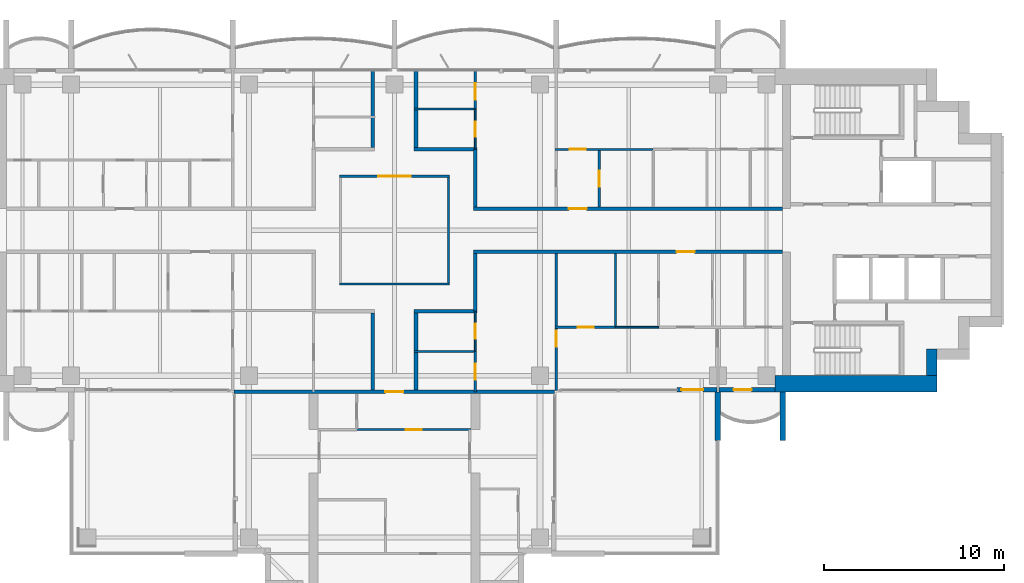
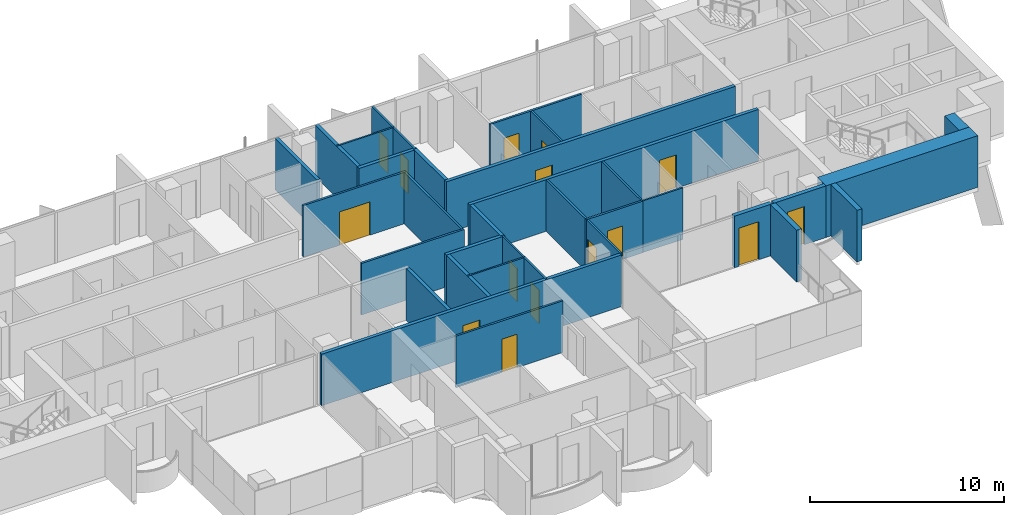
# One storey, part 11 of 18: 33 walls, 15 doors, 15 openings.
"""IFC4 building model written with IfcOpenShell, lengths in metres."""

import ifcopenshell
import ifcopenshell.guid

model = None  # the IFC model being written
_history = None  # IfcOwnerHistory: only IFC2X3 demands one
_inside = {}  # id of a spatial element -> (the spatial element, [elements in it])
_under = {}  # id of a project, library or spatial element -> (it, [spatial elements below it])
_declared = {}  # id of a project -> (the project, [libraries it declares])
_typed = {}  # id of a type object -> (the type object, [elements of that type])
_made_of = {}  # id of a material, layer set ... -> (it, [elements and type objects made of it])


def new_model(schema):
    """Start an empty IFC model of exactly this schema.

    Asked for "IFC4X3", IfcOpenShell would pick the latest addendum, in which some entities
    have other attributes; the version numbers below select the first issue.
    IFC2X3 requires an IfcOwnerHistory on every rooted entity: one is made here for all.
    """
    global model, _history
    if schema == "IFC4X3":
        model = ifcopenshell.file(schema_version=(4, 3, 0, 0))
    else:
        model = ifcopenshell.file(schema=schema)
    _inside.clear()
    _under.clear()
    _declared.clear()
    _typed.clear()
    _made_of.clear()
    _history = None
    if model.schema == "IFC2X3":
        org = make("IfcOrganization", Name="unknown")
        user = make(
            "IfcPersonAndOrganization",
            ThePerson=make("IfcPerson", FamilyName="unknown"),
            TheOrganization=org,
        )
        app = make(
            "IfcApplication",
            ApplicationDeveloper=org,
            Version="unknown",
            ApplicationFullName="unknown",
            ApplicationIdentifier="unknown",
        )
        _history = make(
            "IfcOwnerHistory",
            OwningUser=user,
            OwningApplication=app,
            ChangeAction="ADDED",
            CreationDate=0,
        )
    return model


def make(cls, **values):
    """One entity of the class cls with the attributes given. An attribute that is None is left unset."""
    return model.create_entity(
        cls, **{name: value for name, value in values.items() if value is not None}
    )


def rooted(cls, **values):
    """An entity with a GlobalId (a new one), such as an element, a storey or a relation."""
    return make(cls, GlobalId=ifcopenshell.guid.new(), OwnerHistory=_history, **values)


def si_unit(unit_type, name, prefix=None):
    """IfcSIUnit, for example si_unit("LENGTHUNIT", "METRE", prefix="MILLI")."""
    return make("IfcSIUnit", UnitType=unit_type, Prefix=prefix, Name=name)


def assignment(units):
    """IfcUnitAssignment: the units of a project."""
    return None if units is None else make("IfcUnitAssignment", Units=units)


def point(xyz):
    """IfcCartesianPoint."""
    return None if xyz is None else make("IfcCartesianPoint", Coordinates=xyz)


def direction(xyz):
    """IfcDirection."""
    return None if xyz is None else make("IfcDirection", DirectionRatios=xyz)


def frame(location, z_axis=None, x_axis=None):
    """IfcAxis2Placement3D, a coordinate frame: its origin and axes. An axis left out is left unset."""
    return make(
        "IfcAxis2Placement3D",
        Location=point(location),
        Axis=direction(z_axis),
        RefDirection=direction(x_axis),
    )


def frame_2d(location, x_axis=None):
    """IfcAxis2Placement2D, a coordinate frame in the plane: its origin and x axis."""
    return make(
        "IfcAxis2Placement2D", Location=point(location), RefDirection=direction(x_axis)
    )


def origin():
    """The frame at (0, 0, 0) with its axes left unset."""
    return frame((0.0, 0.0, 0.0))


def place(relative_to, where):
    """IfcLocalPlacement: puts the frame where relative to a parent placement (None: the world)."""
    return make(
        "IfcLocalPlacement", PlacementRelTo=relative_to, RelativePlacement=where
    )


def context(
    kind, dimensions, precision=None, world=None, true_north=None, identifier=None
):
    """IfcGeometricRepresentationContext, for example the 3D "Model" context."""
    return make(
        "IfcGeometricRepresentationContext",
        ContextIdentifier=identifier,
        ContextType=kind,
        CoordinateSpaceDimension=dimensions,
        Precision=precision,
        WorldCoordinateSystem=world,
        TrueNorth=true_north,
    )


def subcontext(parent, identifier, kind, view, scale=None):
    """IfcGeometricRepresentationSubContext, for example "Body" below "Model"."""
    return make(
        "IfcGeometricRepresentationSubContext",
        ContextIdentifier=identifier,
        ContextType=kind,
        ParentContext=parent,
        TargetScale=scale,
        TargetView=view,
    )


def project(units=None, contexts=None):
    """IfcProject with its units and contexts."""
    return rooted(
        "IfcProject",
        Name="project",
        RepresentationContexts=contexts,
        UnitsInContext=assignment(units),
    )


def spatial(cls, under=None, at=None, **own):
    """A site, building, storey or space (cls), placed at a placement, below another one or the project."""
    s = rooted(cls, ObjectPlacement=at, **own)
    if under is not None:
        _under.setdefault(under.id(), (under, []))[1].append(s)
    return s


def profile(cls, at=None, kind="AREA", **sizes):
    """A parametric profile (cls). Its sizes go by their IFC names, for example OverallWidth=200.0."""
    return make(cls, ProfileType=kind, Position=at, **sizes)


def rectangle(**sizes):
    """IfcRectangleProfileDef."""
    return profile("IfcRectangleProfileDef", **sizes)


def extrude(swept, where, along, depth):
    """IfcExtrudedAreaSolid: the profile swept, set in the frame where, extruded along a direction by depth."""
    return make(
        "IfcExtrudedAreaSolid",
        SweptArea=swept,
        Position=where,
        ExtrudedDirection=direction(along),
        Depth=depth,
    )


def shape(context_of_items, identifier, shape_type, items):
    """IfcShapeRepresentation: the items that make up one representation, for example the "Body"."""
    return make(
        "IfcShapeRepresentation",
        ContextOfItems=context_of_items,
        RepresentationIdentifier=identifier,
        RepresentationType=shape_type,
        Items=items,
    )


def material(Name=None, Category=None):
    """IfcMaterial."""
    return make("IfcMaterial", Name=Name, Category=Category)


def layer(
    of_material, thickness, ventilated=None, Name=None, Category=None, Priority=None
):
    """IfcMaterialLayer: one layer of a wall or slab, of a material (None: an air gap)."""
    return make(
        "IfcMaterialLayer",
        Material=of_material,
        LayerThickness=thickness,
        IsVentilated=ventilated,
        Name=Name,
        Category=Category,
        Priority=Priority,
    )


def layer_set(layers, Name=None):
    """IfcMaterialLayerSet."""
    return make("IfcMaterialLayerSet", MaterialLayers=layers, LayerSetName=Name)


def made_of(thing, what):
    """Note that an element or type object is made of a material, layer set ...; save() writes the relation."""
    if what is not None:
        _made_of.setdefault(what.id(), (what, []))[1].append(thing)
    return thing


def type_object(cls, material=None, **own):
    """A type object (cls), such as IfcWallType, which elements share."""
    return made_of(rooted(cls, **own), material)


def element(
    cls,
    number,
    at=None,
    inside=None,
    cuts=None,
    type_object=None,
    material=None,
    context=None,
    identifier="Body",
    shape_type=None,
    held_by="IfcProductDefinitionShape",
    body=None,
    shapes=None,
    **own,
):
    """One element of the class cls, such as IfcWall. Its Tag is "e" and its number.

    at: its placement. inside: the storey or other place that contains it. cuts: it is an
    opening in that element (IfcRelVoidsElement). A single representation is given by context,
    identifier, shape_type and body (its items); several are given by shapes. held_by: the class
    of the entity that holds the representations. save() writes the other relations.
    """
    e = rooted(cls, Tag="e%d" % number, ObjectPlacement=at, **own)
    if body is not None:
        shapes = [shape(context, identifier, shape_type, body)]
    if shapes is not None:
        e.Representation = make(held_by, Representations=shapes)
    if inside is not None:
        _inside.setdefault(inside.id(), (inside, []))[1].append(e)
    if cuts is not None:
        rooted(
            "IfcRelVoidsElement", RelatingBuildingElement=cuts, RelatedOpeningElement=e
        )
    if type_object is not None:
        _typed.setdefault(type_object.id(), (type_object, []))[1].append(e)
    return made_of(e, material)


def fill(opening, filler):
    """IfcRelFillsElement: the door or window that sits in an opening."""
    return rooted(
        "IfcRelFillsElement",
        RelatingOpeningElement=opening,
        RelatedBuildingElement=filler,
    )


def aggregate(whole, parts):
    """IfcRelAggregates: a whole, such as a stair, and the parts it consists of."""
    return rooted("IfcRelAggregates", RelatingObject=whole, RelatedObjects=parts)


def save(model, path):
    """Write the relations noted so far, then the file.

    IfcRelAggregates (storeys below a building ...), IfcRelContainedInSpatialStructure (elements
    in a storey), IfcRelDefinesByType, IfcRelAssociatesMaterial and IfcRelDeclares: one each for
    every whole, place, type object, material and project.
    """
    for whole, parts in _under.values():
        aggregate(whole, parts)
    for where, things in _inside.values():
        rooted(
            "IfcRelContainedInSpatialStructure",
            RelatedElements=things,
            RelatingStructure=where,
        )
    for kind, things in _typed.values():
        rooted("IfcRelDefinesByType", RelatedObjects=things, RelatingType=kind)
    for what, things in _made_of.values():
        rooted("IfcRelAssociatesMaterial", RelatedObjects=things, RelatingMaterial=what)
    for by, libraries in _declared.values():
        rooted("IfcRelDeclares", RelatingContext=by, RelatedDefinitions=libraries)
    model.write(path)


model = new_model("IFC4")

# Units and contexts
model_context = context("Model", 3, precision=1e-05, world=origin(), true_north=direction((0.0, 1.0)))
body_context = subcontext(model_context, "Body", "Model", "MODEL_VIEW")
ifc_project = project(units=[si_unit("LENGTHUNIT", "METRE"), si_unit("AREAUNIT", "SQUARE_METRE"), si_unit("VOLUMEUNIT", "CUBIC_METRE"), si_unit("PLANEANGLEUNIT", "RADIAN"), si_unit("MASSUNIT", "GRAM", prefix="KILO")], contexts=[model_context])

# Site, building, storey
site_placement = place(None, origin())
site = spatial("IfcSite", under=ifc_project, at=site_placement, CompositionType="ELEMENT")
building_placement = place(site_placement, origin())
building = spatial("IfcBuilding", under=site, at=building_placement, Name="Perihelion Cross Residences", CompositionType="ELEMENT")
storey_placement = place(building_placement, frame((0.0, 0.0, 215.60009765625)))
storey = spatial("IfcBuildingStorey", under=building, at=storey_placement, Name="L54", CompositionType="ELEMENT", Elevation=215.60009765625)

# Wall, opening, door
ifc_material_1 = material(Name="Plasterboard partition")
ifc_layer_1 = layer(ifc_material_1, 0.199951171875)
ifc_layer_set_1 = layer_set([ifc_layer_1], Name="Apartment separation wall 200")
wall_type_1 = type_object("IfcWallType", Name="Apartment separation wall 200", PredefinedType="PARTITIONING", material=ifc_layer_set_1)
wall_1_placement = place(storey_placement, frame((4.39990234375, 1.199951171875, 0.0), z_axis=(0.0, 0.0, 1.0), x_axis=(1.0, 0.0, 0.0)))
wall_1 = element("IfcWall", 1, at=wall_1_placement, inside=storey, type_object=wall_type_1, Name="Partition L54 W005", PredefinedType="PARTITIONING", context=body_context, shape_type="SweptSolid", body=[
    extrude(rectangle(XDim=17.2001953125, YDim=0.199951171875, at=frame_2d((8.60009765625, 0.0))), origin(), (0.0, 0.0, 1.0), 3.25),
])
opening_1_placement = place(wall_1_placement, frame((5.300048828125, 0.0, 0.0)))
opening_1 = element("IfcOpeningElement", 2, at=opening_1_placement, cuts=wall_1, Name="Opening L54.A41", PredefinedType="OPENING", context=body_context, shape_type="SweptSolid", body=[
    extrude(rectangle(XDim=1.0, YDim=2.10009765625, at=frame_2d((0.5, 1.050048828125))), frame((0.0, 0.10986328125, 0.0), z_axis=(0.0, -1.0, 0.0), x_axis=(1.0, 0.0, 0.0)), (0.0, 0.0, 1.0), 0.219970703125),
])
ifc_material_2 = material(Name="Timber door leaf", Category="wood")
door_type_1 = type_object("IfcDoorType", Name="Flat entrance door 1000 x 2100", OperationType="SINGLE_SWING_LEFT", PredefinedType="DOOR", material=ifc_material_2)
door_1_placement = place(opening_1_placement, origin())
door_1 = element("IfcDoor", 3, at=door_1_placement, inside=storey, type_object=door_type_1, Name="Door L54.A41", OperationType="SINGLE_SWING_RIGHT", OverallHeight=2.10009765625, OverallWidth=1.0, PredefinedType="DOOR", context=body_context, shape_type="SweptSolid", body=[
    extrude(rectangle(XDim=1.0, YDim=2.10009765625, at=frame_2d((0.5, 1.050048828125))), frame((0.0, 0.02490234375, 0.0), z_axis=(0.0, -1.0, 0.0), x_axis=(1.0, 0.0, 0.0)), (0.0, 0.0, 1.0), 0.050048828125),
])
fill(opening_1, door_1)

# Walls
wall_2_placement = place(storey_placement, frame((4.5, 4.5, 0.0), z_axis=(0.0, 0.0, 1.0), x_axis=(0.0, -1.0, 0.0)))
element("IfcWall", 4, at=wall_2_placement, inside=storey, type_object=wall_type_1, Name="Partition L54 W006", PredefinedType="PARTITIONING", context=body_context, shape_type="SweptSolid", body=[
    extrude(rectangle(XDim=3.199951171875, YDim=0.199951171875, at=frame_2d((1.60009765625, 0.0))), origin(), (0.0, 0.0, 1.0), 3.25),
])
wall_3_placement = place(storey_placement, frame((1.199951171875, 8.919921875, 0.0), z_axis=(0.0, 0.0, 1.0), x_axis=(0.0, -1.0, 0.0)))
element("IfcWall", 5, at=wall_3_placement, inside=storey, type_object=wall_type_1, Name="Partition L54 W007", PredefinedType="PARTITIONING", context=body_context, shape_type="SweptSolid", body=[
    extrude(rectangle(XDim=4.31982421875, YDim=0.199951171875, at=frame_2d((2.159912109375, 0.0))), origin(), (0.0, 0.0, 1.0), 3.25),
])
wall_4_placement = place(storey_placement, frame((1.10009765625, 4.5, 0.0), z_axis=(0.0, 0.0, 1.0), x_axis=(1.0, 0.0, 0.0)))
element("IfcWall", 6, at=wall_4_placement, inside=storey, type_object=wall_type_1, Name="Partition L54 W008", PredefinedType="PARTITIONING", context=body_context, shape_type="SweptSolid", body=[
    extrude(rectangle(XDim=3.5, YDim=0.199951171875, at=frame_2d((1.75, 0.0))), origin(), (0.0, 0.0, 1.0), 3.25),
])

# Wall, opening, door
wall_5_placement = place(storey_placement, frame((21.60009765625, -1.199951171875, 0.0), z_axis=(0.0, 0.0, 1.0), x_axis=(-1.0, 0.0, 0.0)))
wall_5 = element("IfcWall", 7, at=wall_5_placement, inside=storey, type_object=wall_type_1, Name="Partition L54 W009", PredefinedType="PARTITIONING", context=body_context, shape_type="SweptSolid", body=[
    extrude(rectangle(XDim=17.2001953125, YDim=0.199951171875, at=frame_2d((8.60009765625, 0.0))), origin(), (0.0, 0.0, 1.0), 3.25),
])
opening_2_placement = place(wall_5_placement, frame((4.89990234375, 0.0, 0.0)))
opening_2 = element("IfcOpeningElement", 8, at=opening_2_placement, cuts=wall_5, Name="Opening L54.A42", PredefinedType="OPENING", context=body_context, shape_type="SweptSolid", body=[
    extrude(rectangle(XDim=1.0, YDim=2.10009765625, at=frame_2d((0.5, 1.050048828125))), frame((0.0, 0.10986328125, 0.0), z_axis=(0.0, -1.0, 0.0), x_axis=(1.0, 0.0, 0.0)), (0.0, 0.0, 1.0), 0.219970703125),
])
door_2_placement = place(opening_2_placement, origin())
door_2 = element("IfcDoor", 9, at=door_2_placement, inside=storey, type_object=door_type_1, Name="Door L54.A42", OperationType="SINGLE_SWING_RIGHT", OverallHeight=2.10009765625, OverallWidth=1.0, PredefinedType="DOOR", context=body_context, shape_type="SweptSolid", body=[
    extrude(rectangle(XDim=1.0, YDim=2.10009765625, at=frame_2d((0.5, 1.050048828125))), frame((0.0, 0.02490234375, 0.0), z_axis=(0.0, -1.0, 0.0), x_axis=(1.0, 0.0, 0.0)), (0.0, 0.0, 1.0), 0.050048828125),
])
fill(opening_2, door_2)

# Walls
wall_6_placement = place(storey_placement, frame((4.5, -1.300048828125, 0.0), z_axis=(0.0, 0.0, 1.0), x_axis=(0.0, -1.0, 0.0)))
element("IfcWall", 10, at=wall_6_placement, inside=storey, type_object=wall_type_1, Name="Partition L54 W010", PredefinedType="PARTITIONING", context=body_context, shape_type="SweptSolid", body=[
    extrude(rectangle(XDim=3.199951171875, YDim=0.199951171875, at=frame_2d((1.60009765625, 0.0))), origin(), (0.0, 0.0, 1.0), 3.25),
])
wall_7_placement = place(storey_placement, frame((4.60009765625, -4.5, 0.0), z_axis=(0.0, 0.0, 1.0), x_axis=(-1.0, 0.0, 0.0)))
element("IfcWall", 11, at=wall_7_placement, inside=storey, type_object=wall_type_1, Name="Partition L54 W011", PredefinedType="PARTITIONING", context=body_context, shape_type="SweptSolid", body=[
    extrude(rectangle(XDim=3.5, YDim=0.199951171875, at=frame_2d((1.75, 0.0))), origin(), (0.0, 0.0, 1.0), 3.25),
])
wall_8_placement = place(storey_placement, frame((1.199951171875, -4.60009765625, 0.0), z_axis=(0.0, 0.0, 1.0), x_axis=(0.0, -1.0, 0.0)))
element("IfcWall", 12, at=wall_8_placement, inside=storey, type_object=wall_type_1, Name="Partition L54 W012", PredefinedType="PARTITIONING", context=body_context, shape_type="SweptSolid", body=[
    extrude(rectangle(XDim=4.2998046875, YDim=0.199951171875, at=frame_2d((2.14990234375, 0.0))), origin(), (0.0, 0.0, 1.0), 3.25),
])
wall_9_placement = place(storey_placement, frame((-1.199951171875, 4.60009765625, 0.0), z_axis=(0.0, 0.0, 1.0), x_axis=(0.0, 1.0, 0.0)))
element("IfcWall", 13, at=wall_9_placement, inside=storey, type_object=wall_type_1, Name="Partition L54 W016", PredefinedType="PARTITIONING", context=body_context, shape_type="SweptSolid", body=[
    extrude(rectangle(XDim=4.31982421875, YDim=0.199951171875, at=frame_2d((2.159912109375, 0.0))), origin(), (0.0, 0.0, 1.0), 3.25),
])
wall_10_placement = place(storey_placement, frame((-1.199951171875, -8.89990234375, 0.0), z_axis=(0.0, 0.0, 1.0), x_axis=(0.0, 1.0, 0.0)))
element("IfcWall", 14, at=wall_10_placement, inside=storey, type_object=wall_type_1, Name="Partition L54 W019", PredefinedType="PARTITIONING", context=body_context, shape_type="SweptSolid", body=[
    extrude(rectangle(XDim=4.2998046875, YDim=0.199951171875, at=frame_2d((2.14990234375, 0.0))), origin(), (0.0, 0.0, 1.0), 3.25),
])

# Wall, opening, door
wall_11_placement = place(storey_placement, frame((8.919921875, -9.0, 0.0), z_axis=(0.0, 0.0, 1.0), x_axis=(-1.0, 0.0, 0.0)))
wall_11 = element("IfcWall", 15, at=wall_11_placement, inside=storey, type_object=wall_type_1, Name="Partition L54 W021", PredefinedType="PARTITIONING", context=body_context, shape_type="SweptSolid", body=[
    extrude(rectangle(XDim=17.83984375, YDim=0.199951171875, at=frame_2d((8.919921875, 0.0))), origin(), (0.0, 0.0, 1.0), 3.25),
])
opening_3_placement = place(wall_11_placement, frame((8.419921875, 0.0, 0.0)))
opening_3 = element("IfcOpeningElement", 16, at=opening_3_placement, cuts=wall_11, Name="Opening L54.A35", PredefinedType="OPENING", context=body_context, shape_type="SweptSolid", body=[
    extrude(rectangle(XDim=1.0, YDim=2.10009765625, at=frame_2d((0.5, 1.050048828125))), frame((0.0, 0.10986328125, 0.0), z_axis=(0.0, -1.0, 0.0), x_axis=(1.0, 0.0, 0.0)), (0.0, 0.0, 1.0), 0.219970703125),
])
door_3_placement = place(opening_3_placement, origin())
door_3 = element("IfcDoor", 17, at=door_3_placement, inside=storey, type_object=door_type_1, Name="Door L54.A35", OperationType="SINGLE_SWING_LEFT", OverallHeight=2.10009765625, OverallWidth=1.0, PredefinedType="DOOR", context=body_context, shape_type="SweptSolid", body=[
    extrude(rectangle(XDim=1.0, YDim=2.10009765625, at=frame_2d((0.5, 1.050048828125))), frame((0.0, 0.02490234375, 0.0), z_axis=(0.0, -1.0, 0.0), x_axis=(1.0, 0.0, 0.0)), (0.0, 0.0, 1.0), 0.050048828125),
])
fill(opening_3, door_3)

ifc_material_3 = material(Name="Concrete C30/37, bronze-clad", Category="concrete")
ifc_layer_2 = layer(ifc_material_3, 0.25)
ifc_layer_set_2 = layer_set([ifc_layer_2], Name="Bronze-clad pier wall 250")
wall_type_2 = type_object("IfcWallType", Name="Bronze-clad pier wall 250", PredefinedType="SOLIDWALL", material=ifc_layer_set_2)
wall_12_placement = place(storey_placement, frame((15.72509765625, -8.875, 0.0), z_axis=(0.0, 0.0, 1.0), x_axis=(1.0, 0.0, 0.0)))
wall_12 = element("IfcWall", 18, at=wall_12_placement, inside=storey, type_object=wall_type_2, Name="Wall FW1 L54 east side south bay 1 pier", PredefinedType="SOLIDWALL", context=body_context, shape_type="SweptSolid", body=[
    extrude(rectangle(XDim=2.21484375, YDim=0.25, at=frame_2d((1.107421875, 0.0))), origin(), (0.0, 0.0, 1.0), 3.25),
])
opening_4_placement = place(wall_12_placement, frame((0.25, 0.0, 0.0)))
opening_4 = element("IfcOpeningElement", 19, at=opening_4_placement, cuts=wall_12, Name="Opening L54.E13", PredefinedType="OPENING", context=body_context, shape_type="SweptSolid", body=[
    extrude(rectangle(XDim=1.199951171875, YDim=2.39990234375, at=frame_2d((0.60009765625, 1.199951171875))), frame((0.0, 0.135009765625, 0.0), z_axis=(0.0, -1.0, 0.0), x_axis=(1.0, 0.0, 0.0)), (0.0, 0.0, 1.0), 0.27001953125),
])
ifc_material_4 = material(Name="Bronze anodised aluminium, glazed", Category="aluminium")
door_type_2 = type_object("IfcDoorType", Name="Balcony door 1200 x 2400", OperationType="NOTDEFINED", PredefinedType="DOOR", material=ifc_material_4)
door_4_placement = place(opening_4_placement, origin())
door_4 = element("IfcDoor", 20, at=door_4_placement, inside=storey, type_object=door_type_2, Name="Door L54.E13 east side south bay 1", OperationType="SINGLE_SWING_LEFT", OverallHeight=2.39990234375, OverallWidth=1.199951171875, PredefinedType="DOOR", context=body_context, shape_type="SweptSolid", body=[
    extrude(rectangle(XDim=1.199951171875, YDim=2.39990234375, at=frame_2d((0.60009765625, 1.199951171875))), frame((0.0, 0.02490234375, 0.0), z_axis=(0.0, -1.0, 0.0), x_axis=(1.0, 0.0, 0.0)), (0.0, 0.0, 1.0), 0.050048828125),
])
fill(opening_4, door_4)

wall_13_placement = place(storey_placement, frame((18.06005859375, -8.875, 0.0), z_axis=(0.0, 0.0, 1.0), x_axis=(1.0, 0.0, 0.0)))
wall_13 = element("IfcWall", 21, at=wall_13_placement, inside=storey, type_object=wall_type_2, Name="Wall FW1 L54 east side south bay 2 pier", PredefinedType="SOLIDWALL", context=body_context, shape_type="SweptSolid", body=[
    extrude(rectangle(XDim=3.114990234375, YDim=0.25, at=frame_2d((1.5576171875, 0.0))), origin(), (0.0, 0.0, 1.0), 3.25),
])
opening_5_placement = place(wall_13_placement, frame((0.81494140625, 0.0, 0.0)))
opening_5 = element("IfcOpeningElement", 22, at=opening_5_placement, cuts=wall_13, Name="Opening L54.E14", PredefinedType="OPENING", context=body_context, shape_type="SweptSolid", body=[
    extrude(rectangle(XDim=1.0, YDim=2.39990234375, at=frame_2d((0.5, 1.199951171875))), frame((0.0, 0.135009765625, 0.0), z_axis=(0.0, -1.0, 0.0), x_axis=(1.0, 0.0, 0.0)), (0.0, 0.0, 1.0), 0.27001953125),
])
ifc_material_5 = material(Name="Bronze anodised aluminium, glazed", Category="aluminium")
door_type_3 = type_object("IfcDoorType", Name="Balcony door 1000 x 2400", OperationType="NOTDEFINED", PredefinedType="DOOR", material=ifc_material_5)
door_5_placement = place(opening_5_placement, origin())
door_5 = element("IfcDoor", 23, at=door_5_placement, inside=storey, type_object=door_type_3, Name="Door L54.E14 east side south bay 2", OperationType="SINGLE_SWING_RIGHT", OverallHeight=2.39990234375, OverallWidth=1.0, PredefinedType="DOOR", context=body_context, shape_type="SweptSolid", body=[
    extrude(rectangle(XDim=1.0, YDim=2.39990234375, at=frame_2d((0.5, 1.199951171875))), frame((0.0, 0.02490234375, 0.0), z_axis=(0.0, -1.0, 0.0), x_axis=(1.0, 0.0, 0.0)), (0.0, 0.0, 1.0), 0.050048828125),
])
fill(opening_5, door_5)

# Walls
ifc_material_6 = material(Name="Concrete C60/75", Category="concrete")
ifc_layer_3 = layer(ifc_material_6, 0.60009765625)
ifc_layer_set_3 = layer_set([ifc_layer_3], Name="Core wall, outer 600")
wall_type_3 = type_object("IfcWallType", Name="Core wall, outer 600", PredefinedType="SHEAR", material=ifc_layer_set_3)
wall_14_placement = place(storey_placement, frame((29.89990234375, -8.10009765625, 0.0), z_axis=(0.0, 0.0, 1.0), x_axis=(0.0, 1.0, 0.0)))
element("IfcWall", 24, at=wall_14_placement, inside=storey, type_object=wall_type_3, Name="East core core wall, outer", PredefinedType="SHEAR", context=body_context, shape_type="SweptSolid", body=[
    extrude(rectangle(XDim=1.5, YDim=0.60009765625, at=frame_2d((0.75, 0.0))), origin(), (0.0, 0.0, 1.0), 3.25),
])
ifc_material_7 = material(Name="Concrete C60/75", Category="concrete")
ifc_layer_4 = layer(ifc_material_7, 0.89990234375)
ifc_layer_set_4 = layer_set([ifc_layer_4], Name="Core wall, outer 900")
wall_type_4 = type_object("IfcWallType", Name="Core wall, outer 900", PredefinedType="SHEAR", material=ifc_layer_set_4)
wall_15_placement = place(storey_placement, frame((21.175048828125, -8.550048828125, 0.0), z_axis=(0.0, 0.0, 1.0), x_axis=(1.0, 0.0, 0.0)))
element("IfcWall", 25, at=wall_15_placement, inside=storey, type_object=wall_type_4, Name="East core core wall, outer", PredefinedType="SHEAR", context=body_context, shape_type="SweptSolid", body=[
    extrude(rectangle(XDim=9.02490234375, YDim=0.89990234375, at=frame_2d((4.512451171875, 0.0))), origin(), (0.0, 0.0, 1.0), 3.25),
])
ifc_material_8 = material(Name="Plasterboard partition")
ifc_layer_5 = layer(ifc_material_8, 0.1201171875)
ifc_layer_set_5 = layer_set([ifc_layer_5], Name="Partition wall 120")
wall_type_5 = type_object("IfcWallType", Name="Partition wall 120", PredefinedType="PARTITIONING", material=ifc_layer_set_5)
wall_16_placement = place(storey_placement, frame((-3.06005859375, -3.0, 0.0), z_axis=(0.0, 0.0, 1.0), x_axis=(1.0, 0.0, 0.0)))
element("IfcWall", 26, at=wall_16_placement, inside=storey, type_object=wall_type_5, Name="Partition L54 W001", PredefinedType="PARTITIONING", context=body_context, shape_type="SweptSolid", body=[
    extrude(rectangle(XDim=6.1201171875, YDim=0.1201171875, at=frame_2d((3.06005859375, 0.0))), origin(), (0.0, 0.0, 1.0), 3.25),
])
wall_17_placement = place(storey_placement, frame((3.0, -2.93994140625, 0.0), z_axis=(0.0, 0.0, 1.0), x_axis=(0.0, 1.0, 0.0)))
element("IfcWall", 27, at=wall_17_placement, inside=storey, type_object=wall_type_5, Name="Partition L54 W002", PredefinedType="PARTITIONING", context=body_context, shape_type="SweptSolid", body=[
    extrude(rectangle(XDim=5.8798828125, YDim=0.1201171875, at=frame_2d((2.93994140625, 0.0))), origin(), (0.0, 0.0, 1.0), 3.25),
])

# Wall, opening, door
wall_18_placement = place(storey_placement, frame((3.06005859375, 3.0, 0.0), z_axis=(0.0, 0.0, 1.0), x_axis=(-1.0, 0.0, 0.0)))
wall_18 = element("IfcWall", 28, at=wall_18_placement, inside=storey, type_object=wall_type_5, Name="Partition L54 W003", PredefinedType="PARTITIONING", context=body_context, shape_type="SweptSolid", body=[
    extrude(rectangle(XDim=6.1201171875, YDim=0.1201171875, at=frame_2d((3.06005859375, 0.0))), origin(), (0.0, 0.0, 1.0), 3.25),
])
opening_6_placement = place(wall_18_placement, frame((2.159912109375, 0.0, 0.0)))
opening_6 = element("IfcOpeningElement", 29, at=opening_6_placement, cuts=wall_18, Name="Opening L54.A01", PredefinedType="OPENING", context=body_context, shape_type="SweptSolid", body=[
    extrude(rectangle(XDim=1.800048828125, YDim=2.10009765625, at=frame_2d((0.89990234375, 1.050048828125))), frame((0.0, 0.070068359375, 0.0), z_axis=(0.0, -1.0, 0.0), x_axis=(1.0, 0.0, 0.0)), (0.0, 0.0, 1.0), 0.14013671875),
])
ifc_material_9 = material(Name="Glazed timber door leaf", Category="wood")
door_type_4 = type_object("IfcDoorType", Name="Interior double leaf door 1800 x 2100", OperationType="DOUBLE_DOOR_SINGLE_SWING", PredefinedType="DOOR", material=ifc_material_9)
door_6_placement = place(opening_6_placement, origin())
door_6 = element("IfcDoor", 30, at=door_6_placement, inside=storey, type_object=door_type_4, Name="Door L54.A01", OperationType="SINGLE_SWING_LEFT", OverallHeight=2.10009765625, OverallWidth=1.800048828125, PredefinedType="DOOR", context=body_context, shape_type="SweptSolid", body=[
    extrude(rectangle(XDim=1.800048828125, YDim=2.10009765625, at=frame_2d((0.89990234375, 1.050048828125))), frame((0.0, 0.02490234375, 0.0), z_axis=(0.0, -1.0, 0.0), x_axis=(1.0, 0.0, 0.0)), (0.0, 0.0, 1.0), 0.050048828125),
])
fill(opening_6, door_6)

wall_19_placement = place(storey_placement, frame((11.39990234375, 4.43994140625, 0.0), z_axis=(0.0, 0.0, 1.0), x_axis=(0.0, -1.0, 0.0)))
wall_19 = element("IfcWall", 31, at=wall_19_placement, inside=storey, type_object=wall_type_5, Name="Partition L54 W022", PredefinedType="PARTITIONING", context=body_context, shape_type="SweptSolid", body=[
    extrude(rectangle(XDim=3.139892578125, YDim=0.1201171875, at=frame_2d((1.56982421875, 0.0))), origin(), (0.0, 0.0, 1.0), 3.25),
])
opening_7_placement = place(wall_19_placement, frame((1.1201171875, 0.0, 0.0)))
opening_7 = element("IfcOpeningElement", 32, at=opening_7_placement, cuts=wall_19, Name="Opening L54.A03", PredefinedType="OPENING", context=body_context, shape_type="SweptSolid", body=[
    extrude(rectangle(XDim=0.89990234375, YDim=2.10009765625, at=frame_2d((0.449951171875, 1.050048828125))), frame((0.0, 0.070068359375, 0.0), z_axis=(0.0, -1.0, 0.0), x_axis=(1.0, 0.0, 0.0)), (0.0, 0.0, 1.0), 0.14013671875),
])
ifc_material_10 = material(Name="Timber door leaf", Category="wood")
door_type_5 = type_object("IfcDoorType", Name="Interior room door 900 x 2100", OperationType="SINGLE_SWING_LEFT", PredefinedType="DOOR", material=ifc_material_10)
door_7_placement = place(opening_7_placement, origin())
door_7 = element("IfcDoor", 33, at=door_7_placement, inside=storey, type_object=door_type_5, Name="Door L54.A03", OperationType="SINGLE_SWING_RIGHT", OverallHeight=2.10009765625, OverallWidth=0.89990234375, PredefinedType="DOOR", context=body_context, shape_type="SweptSolid", body=[
    extrude(rectangle(XDim=0.89990234375, YDim=2.10009765625, at=frame_2d((0.449951171875, 1.050048828125))), frame((0.0, 0.02490234375, 0.0), z_axis=(0.0, -1.0, 0.0), x_axis=(1.0, 0.0, 0.0)), (0.0, 0.0, 1.0), 0.050048828125),
])
fill(opening_7, door_7)

wall_20_placement = place(storey_placement, frame((8.93994140625, 4.5, 0.0), z_axis=(0.0, 0.0, 1.0), x_axis=(1.0, 0.0, 0.0)))
wall_20 = element("IfcWall", 34, at=wall_20_placement, inside=storey, type_object=wall_type_5, Name="Partition L54 W023", PredefinedType="PARTITIONING", context=body_context, shape_type="SweptSolid", body=[
    extrude(rectangle(XDim=5.4599609375, YDim=0.1201171875, at=frame_2d((2.72998046875, 0.0))), origin(), (0.0, 0.0, 1.0), 3.25),
])
opening_8_placement = place(wall_20_placement, frame((0.81005859375, 0.0, 0.0)))
opening_8 = element("IfcOpeningElement", 35, at=opening_8_placement, cuts=wall_20, Name="Opening L54.A08", PredefinedType="OPENING", context=body_context, shape_type="SweptSolid", body=[
    extrude(rectangle(XDim=0.89990234375, YDim=2.10009765625, at=frame_2d((0.449951171875, 1.050048828125))), frame((0.0, 0.070068359375, 0.0), z_axis=(0.0, -1.0, 0.0), x_axis=(1.0, 0.0, 0.0)), (0.0, 0.0, 1.0), 0.14013671875),
])
door_8_placement = place(opening_8_placement, origin())
door_8 = element("IfcDoor", 36, at=door_8_placement, inside=storey, type_object=door_type_5, Name="Door L54.A08", OperationType="SINGLE_SWING_RIGHT", OverallHeight=2.10009765625, OverallWidth=0.89990234375, PredefinedType="DOOR", context=body_context, shape_type="SweptSolid", body=[
    extrude(rectangle(XDim=0.89990234375, YDim=2.10009765625, at=frame_2d((0.449951171875, 1.050048828125))), frame((0.0, 0.02490234375, 0.0), z_axis=(0.0, -1.0, 0.0), x_axis=(1.0, 0.0, 0.0)), (0.0, 0.0, 1.0), 0.050048828125),
])
fill(opening_8, door_8)

wall_21_placement = place(storey_placement, frame((4.5, 6.75, 0.0), z_axis=(0.0, 0.0, 1.0), x_axis=(0.0, 1.0, 0.0)))
wall_21 = element("IfcWall", 37, at=wall_21_placement, inside=storey, type_object=wall_type_5, Name="Partition L54 W032", PredefinedType="PARTITIONING", context=body_context, shape_type="SweptSolid", body=[
    extrude(rectangle(XDim=2.169921875, YDim=0.1201171875, at=frame_2d((1.0849609375, 0.0))), origin(), (0.0, 0.0, 1.0), 3.25),
])
opening_9_placement = place(wall_21_placement, frame((0.52490234375, 0.0, 0.0)))
opening_9 = element("IfcOpeningElement", 38, at=opening_9_placement, cuts=wall_21, Name="Opening L54.A04", PredefinedType="OPENING", context=body_context, shape_type="SweptSolid", body=[
    extrude(rectangle(XDim=0.89990234375, YDim=2.10009765625, at=frame_2d((0.449951171875, 1.050048828125))), frame((0.0, 0.070068359375, 0.0), z_axis=(0.0, -1.0, 0.0), x_axis=(1.0, 0.0, 0.0)), (0.0, 0.0, 1.0), 0.14013671875),
])
door_9_placement = place(opening_9_placement, origin())
door_9 = element("IfcDoor", 39, at=door_9_placement, inside=storey, type_object=door_type_5, Name="Door L54.A04", OperationType="SINGLE_SWING_RIGHT", OverallHeight=2.10009765625, OverallWidth=0.89990234375, PredefinedType="DOOR", context=body_context, shape_type="SweptSolid", body=[
    extrude(rectangle(XDim=0.89990234375, YDim=2.10009765625, at=frame_2d((0.449951171875, 1.050048828125))), frame((0.0, 0.02490234375, 0.0), z_axis=(0.0, -1.0, 0.0), x_axis=(1.0, 0.0, 0.0)), (0.0, 0.0, 1.0), 0.050048828125),
])
fill(opening_9, door_9)

wall_22_placement = place(storey_placement, frame((12.300048828125, -5.39990234375, 0.0), z_axis=(0.0, 0.0, 1.0), x_axis=(-1.0, 0.0, 0.0)))
wall_22 = element("IfcWall", 40, at=wall_22_placement, inside=storey, type_object=wall_type_5, Name="Partition L54 W035", PredefinedType="PARTITIONING", context=body_context, shape_type="SweptSolid", body=[
    extrude(rectangle(XDim=3.360107421875, YDim=0.1201171875, at=frame_2d((1.68017578125, 0.0))), origin(), (0.0, 0.0, 1.0), 3.25),
])
opening_10_placement = place(wall_22_placement, frame((1.199951171875, 0.0, 0.0)))
opening_10 = element("IfcOpeningElement", 41, at=opening_10_placement, cuts=wall_22, Name="Opening L54.A12", PredefinedType="OPENING", context=body_context, shape_type="SweptSolid", body=[
    extrude(rectangle(XDim=0.89990234375, YDim=2.10009765625, at=frame_2d((0.449951171875, 1.050048828125))), frame((0.0, 0.070068359375, 0.0), z_axis=(0.0, -1.0, 0.0), x_axis=(1.0, 0.0, 0.0)), (0.0, 0.0, 1.0), 0.14013671875),
])
door_10_placement = place(opening_10_placement, origin())
door_10 = element("IfcDoor", 42, at=door_10_placement, inside=storey, type_object=door_type_5, Name="Door L54.A12", OperationType="SINGLE_SWING_LEFT", OverallHeight=2.10009765625, OverallWidth=0.89990234375, PredefinedType="DOOR", context=body_context, shape_type="SweptSolid", body=[
    extrude(rectangle(XDim=0.89990234375, YDim=2.10009765625, at=frame_2d((0.449951171875, 1.050048828125))), frame((0.0, 0.02490234375, 0.0), z_axis=(0.0, -1.0, 0.0), x_axis=(1.0, 0.0, 0.0)), (0.0, 0.0, 1.0), 0.050048828125),
])
fill(opening_10, door_10)

wall_23_placement = place(storey_placement, frame((9.0, -8.919921875, 0.0), z_axis=(0.0, 0.0, 1.0), x_axis=(0.0, 1.0, 0.0)))
wall_23 = element("IfcWall", 43, at=wall_23_placement, inside=storey, type_object=wall_type_5, Name="Partition L54 W036", PredefinedType="PARTITIONING", context=body_context, shape_type="SweptSolid", body=[
    extrude(rectangle(XDim=7.619873046875, YDim=0.1201171875, at=frame_2d((3.81005859375, 0.0))), origin(), (0.0, 0.0, 1.0), 3.25),
])
opening_11_placement = place(wall_23_placement, frame((2.419921875, 0.0, 0.0)))
opening_11 = element("IfcOpeningElement", 44, at=opening_11_placement, cuts=wall_23, Name="Opening L54.A14", PredefinedType="OPENING", context=body_context, shape_type="SweptSolid", body=[
    extrude(rectangle(XDim=0.89990234375, YDim=2.10009765625, at=frame_2d((0.449951171875, 1.050048828125))), frame((0.0, 0.070068359375, 0.0), z_axis=(0.0, -1.0, 0.0), x_axis=(1.0, 0.0, 0.0)), (0.0, 0.0, 1.0), 0.14013671875),
])
door_11_placement = place(opening_11_placement, origin())
door_11 = element("IfcDoor", 45, at=door_11_placement, inside=storey, type_object=door_type_5, Name="Door L54.A14", OperationType="SINGLE_SWING_RIGHT", OverallHeight=2.10009765625, OverallWidth=0.89990234375, PredefinedType="DOOR", context=body_context, shape_type="SweptSolid", body=[
    extrude(rectangle(XDim=0.89990234375, YDim=2.10009765625, at=frame_2d((0.449951171875, 1.050048828125))), frame((0.0, 0.02490234375, 0.0), z_axis=(0.0, -1.0, 0.0), x_axis=(1.0, 0.0, 0.0)), (0.0, 0.0, 1.0), 0.050048828125),
])
fill(opening_11, door_11)

wall_24_placement = place(storey_placement, frame((4.5, -9.0, 0.0), z_axis=(0.0, 0.0, 1.0), x_axis=(0.0, 1.0, 0.0)))
wall_24 = element("IfcWall", 46, at=wall_24_placement, inside=storey, type_object=wall_type_5, Name="Partition L54 W045", PredefinedType="PARTITIONING", context=body_context, shape_type="SweptSolid", body=[
    extrude(rectangle(XDim=2.25, YDim=0.1201171875, at=frame_2d((1.125, 0.0))), origin(), (0.0, 0.0, 1.0), 3.25),
])
opening_12_placement = place(wall_24_placement, frame((0.675048828125, 0.0, 0.0)))
opening_12 = element("IfcOpeningElement", 47, at=opening_12_placement, cuts=wall_24, Name="Opening L54.A13", PredefinedType="OPENING", context=body_context, shape_type="SweptSolid", body=[
    extrude(rectangle(XDim=0.89990234375, YDim=2.10009765625, at=frame_2d((0.449951171875, 1.050048828125))), frame((0.0, 0.070068359375, 0.0), z_axis=(0.0, -1.0, 0.0), x_axis=(1.0, 0.0, 0.0)), (0.0, 0.0, 1.0), 0.14013671875),
])
door_12_placement = place(opening_12_placement, origin())
door_12 = element("IfcDoor", 48, at=door_12_placement, inside=storey, type_object=door_type_5, Name="Door L54.A13", OperationType="SINGLE_SWING_RIGHT", OverallHeight=2.10009765625, OverallWidth=0.89990234375, PredefinedType="DOOR", context=body_context, shape_type="SweptSolid", body=[
    extrude(rectangle(XDim=0.89990234375, YDim=2.10009765625, at=frame_2d((0.449951171875, 1.050048828125))), frame((0.0, 0.02490234375, 0.0), z_axis=(0.0, -1.0, 0.0), x_axis=(1.0, 0.0, 0.0)), (0.0, 0.0, 1.0), 0.050048828125),
])
fill(opening_12, door_12)

wall_25_placement = place(storey_placement, frame((4.25, -11.10009765625, 0.0), z_axis=(0.0, 0.0, 1.0), x_axis=(-1.0, 0.0, 0.0)))
wall_25 = element("IfcWall", 49, at=wall_25_placement, inside=storey, type_object=wall_type_5, Name="Partition L54 W070", PredefinedType="PARTITIONING", context=body_context, shape_type="SweptSolid", body=[
    extrude(rectangle(XDim=6.35009765625, YDim=0.1201171875, at=frame_2d((3.175048828125, 0.0))), origin(), (0.0, 0.0, 1.0), 3.25),
])
opening_13_placement = place(wall_25_placement, frame((2.72509765625, 0.0, 0.0)))
opening_13 = element("IfcOpeningElement", 50, at=opening_13_placement, cuts=wall_25, Name="Opening L54.A37", PredefinedType="OPENING", context=body_context, shape_type="SweptSolid", body=[
    extrude(rectangle(XDim=0.89990234375, YDim=2.10009765625, at=frame_2d((0.449951171875, 1.050048828125))), frame((0.0, 0.070068359375, 0.0), z_axis=(0.0, -1.0, 0.0), x_axis=(1.0, 0.0, 0.0)), (0.0, 0.0, 1.0), 0.14013671875),
])
door_13_placement = place(opening_13_placement, origin())
door_13 = element("IfcDoor", 51, at=door_13_placement, inside=storey, type_object=door_type_5, Name="Door L54.A37", OperationType="SINGLE_SWING_RIGHT", OverallHeight=2.10009765625, OverallWidth=0.89990234375, PredefinedType="DOOR", context=body_context, shape_type="SweptSolid", body=[
    extrude(rectangle(XDim=0.89990234375, YDim=2.10009765625, at=frame_2d((0.449951171875, 1.050048828125))), frame((0.0, 0.02490234375, 0.0), z_axis=(0.0, -1.0, 0.0), x_axis=(1.0, 0.0, 0.0)), (0.0, 0.0, 1.0), 0.050048828125),
])
fill(opening_13, door_13)

# Walls
ifc_material_11 = material(Name="Precast concrete C50/60", Category="concrete")
ifc_layer_6 = layer(ifc_material_11, 0.300048828125)
ifc_layer_set_6 = layer_set([ifc_layer_6], Name="Precast concrete C50/60 blade wall 300")
wall_type_6 = type_object("IfcWallType", Name="Precast concrete C50/60 blade wall 300", PredefinedType="SOLIDWALL", material=ifc_layer_set_6)
for number, where, z_axis, x_axis, name in (
    (52, (18.0, -9.0, 0.0), (0.0, 0.0, 1.0), (0.0, -1.0, 0.0), "Wall BL1 L54 no. 10"),
    (53, (21.60009765625, -9.0, 0.0), (0.0, 0.0, 1.0), (0.0, -1.0, 0.0), "Wall BL1 L54 no. 12"),
):
    element("IfcWall", number, at=place(storey_placement, frame(where, z_axis=z_axis, x_axis=x_axis)), inside=storey, type_object=wall_type_6, Name=name, PredefinedType="SOLIDWALL", context=body_context, shape_type="SweptSolid", body=[
        extrude(rectangle(XDim=2.699951171875, YDim=0.300048828125, at=frame_2d((1.35009765625, 0.0))), origin(), (0.0, 0.0, 1.0), 3.25),
    ])

# Wall, opening, door
ifc_material_12 = material(Name="Plasterboard partition")
ifc_layer_7 = layer(ifc_material_12, 0.10009765625)
ifc_layer_set_7 = layer_set([ifc_layer_7], Name="Wet room wall 100")
wall_type_7 = type_object("IfcWallType", Name="Wet room wall 100", PredefinedType="PARTITIONING", material=ifc_layer_set_7)
wall_26_placement = place(storey_placement, frame((4.5, 4.5, 0.0), z_axis=(0.0, 0.0, 1.0), x_axis=(0.0, 1.0, 0.0)))
wall_26 = element("IfcWall", 54, at=wall_26_placement, inside=storey, type_object=wall_type_7, Name="Partition L54 W031", PredefinedType="PARTITIONING", context=body_context, shape_type="SweptSolid", body=[
    extrude(rectangle(XDim=2.25, YDim=0.10009765625, at=frame_2d((1.125, 0.0))), origin(), (0.0, 0.0, 1.0), 3.25),
])
opening_14_placement = place(wall_26_placement, frame((0.699951171875, 0.0, 0.0)))
opening_14 = element("IfcOpeningElement", 55, at=opening_14_placement, cuts=wall_26, Name="Opening L54.A06", PredefinedType="OPENING", context=body_context, shape_type="SweptSolid", body=[
    extrude(rectangle(XDim=0.85009765625, YDim=2.10009765625, at=frame_2d((0.425048828125, 1.050048828125))), frame((0.0, 0.06005859375, 0.0), z_axis=(0.0, -1.0, 0.0), x_axis=(1.0, 0.0, 0.0)), (0.0, 0.0, 1.0), 0.1201171875),
])
ifc_material_13 = material(Name="Timber door leaf", Category="wood")
door_type_6 = type_object("IfcDoorType", Name="Interior bathroom door 850 x 2100", OperationType="SINGLE_SWING_LEFT", PredefinedType="DOOR", material=ifc_material_13)
door_14_placement = place(opening_14_placement, origin())
door_14 = element("IfcDoor", 56, at=door_14_placement, inside=storey, type_object=door_type_6, Name="Door L54.A06", OperationType="SINGLE_SWING_RIGHT", OverallHeight=2.10009765625, OverallWidth=0.85009765625, PredefinedType="DOOR", context=body_context, shape_type="SweptSolid", body=[
    extrude(rectangle(XDim=0.85009765625, YDim=2.10009765625, at=frame_2d((0.425048828125, 1.050048828125))), frame((0.0, 0.02490234375, 0.0), z_axis=(0.0, -1.0, 0.0), x_axis=(1.0, 0.0, 0.0)), (0.0, 0.0, 1.0), 0.050048828125),
])
fill(opening_14, door_14)

# Walls
wall_27_placement = place(storey_placement, frame((1.10009765625, 6.75, 0.0), z_axis=(0.0, 0.0, 1.0), x_axis=(1.0, 0.0, 0.0)))
element("IfcWall", 57, at=wall_27_placement, inside=storey, type_object=wall_type_7, Name="Partition L54 W033", PredefinedType="PARTITIONING", context=body_context, shape_type="SweptSolid", body=[
    extrude(rectangle(XDim=3.4599609375, YDim=0.10009765625, at=frame_2d((1.72998046875, 0.0))), origin(), (0.0, 0.0, 1.0), 3.25),
])
wall_28_placement = place(storey_placement, frame((12.300048828125, -1.300048828125, 0.0), z_axis=(0.0, 0.0, 1.0), x_axis=(0.0, -1.0, 0.0)))
element("IfcWall", 58, at=wall_28_placement, inside=storey, type_object=wall_type_7, Name="Partition L54 W034", PredefinedType="PARTITIONING", context=body_context, shape_type="SweptSolid", body=[
    extrude(rectangle(XDim=4.0400390625, YDim=0.10009765625, at=frame_2d((2.02001953125, 0.0))), origin(), (0.0, 0.0, 1.0), 3.25),
])
wall_29_placement = place(storey_placement, frame((14.699951171875, -5.39990234375, 0.0), z_axis=(0.0, 0.0, 1.0), x_axis=(-1.0, 0.0, 0.0)))
element("IfcWall", 59, at=wall_29_placement, inside=storey, type_object=wall_type_7, Name="Partition L54 W038", PredefinedType="PARTITIONING", context=body_context, shape_type="SweptSolid", body=[
    extrude(rectangle(XDim=2.39990234375, YDim=0.10009765625, at=frame_2d((1.199951171875, 0.0))), origin(), (0.0, 0.0, 1.0), 3.25),
])

# Wall, opening, door
wall_30_placement = place(storey_placement, frame((4.5, -6.75, 0.0), z_axis=(0.0, 0.0, 1.0), x_axis=(0.0, 1.0, 0.0)))
wall_30 = element("IfcWall", 60, at=wall_30_placement, inside=storey, type_object=wall_type_7, Name="Partition L54 W044", PredefinedType="PARTITIONING", context=body_context, shape_type="SweptSolid", body=[
    extrude(rectangle(XDim=2.25, YDim=0.10009765625, at=frame_2d((1.125, 0.0))), origin(), (0.0, 0.0, 1.0), 3.25),
])
opening_15_placement = place(wall_30_placement, frame((0.699951171875, 0.0, 0.0)))
opening_15 = element("IfcOpeningElement", 61, at=opening_15_placement, cuts=wall_30, Name="Opening L54.A17", PredefinedType="OPENING", context=body_context, shape_type="SweptSolid", body=[
    extrude(rectangle(XDim=0.85009765625, YDim=2.10009765625, at=frame_2d((0.425048828125, 1.050048828125))), frame((0.0, 0.06005859375, 0.0), z_axis=(0.0, -1.0, 0.0), x_axis=(1.0, 0.0, 0.0)), (0.0, 0.0, 1.0), 0.1201171875),
])
door_15_placement = place(opening_15_placement, origin())
door_15 = element("IfcDoor", 62, at=door_15_placement, inside=storey, type_object=door_type_6, Name="Door L54.A17", OperationType="SINGLE_SWING_LEFT", OverallHeight=2.10009765625, OverallWidth=0.85009765625, PredefinedType="DOOR", context=body_context, shape_type="SweptSolid", body=[
    extrude(rectangle(XDim=0.85009765625, YDim=2.10009765625, at=frame_2d((0.425048828125, 1.050048828125))), frame((0.0, 0.02490234375, 0.0), z_axis=(0.0, -1.0, 0.0), x_axis=(1.0, 0.0, 0.0)), (0.0, 0.0, 1.0), 0.050048828125),
])
fill(opening_15, door_15)

# Wall
wall_31_placement = place(storey_placement, frame((4.56005859375, -6.75, 0.0), z_axis=(0.0, 0.0, 1.0), x_axis=(-1.0, 0.0, 0.0)))
element("IfcWall", 63, at=wall_31_placement, inside=storey, type_object=wall_type_7, Name="Partition L54 W046", PredefinedType="PARTITIONING", context=body_context, shape_type="SweptSolid", body=[
    extrude(rectangle(XDim=3.4599609375, YDim=0.10009765625, at=frame_2d((1.72998046875, 0.0))), origin(), (0.0, 0.0, 1.0), 3.25),
])

save(model, "model.ifc")
